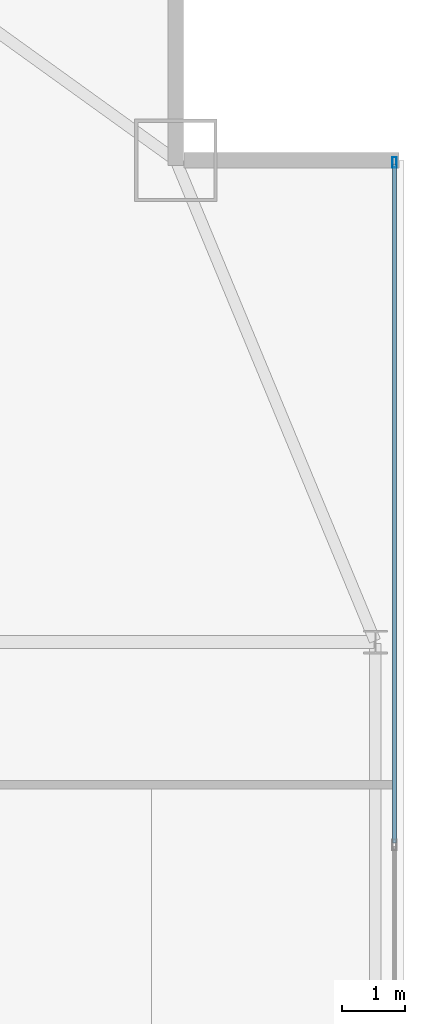
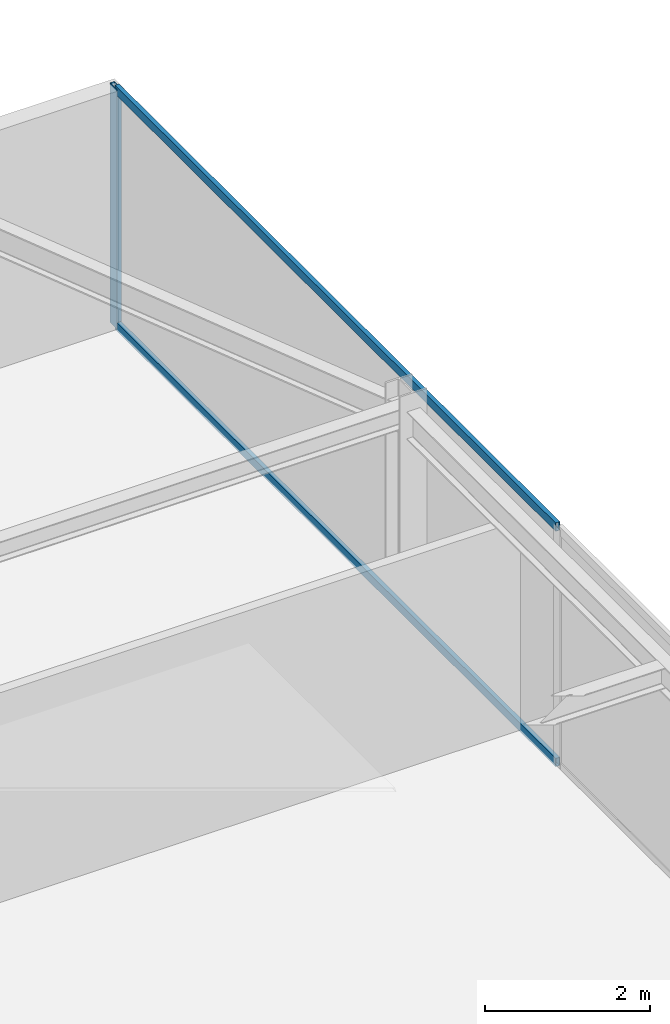
# One storey, part 21 of 30: 3 members, 1 element without a shape of its own.
"""IFC4 building model written with IfcOpenShell, lengths in metres."""

from ifc_helpers import new_model, si_unit, direction, frame, origin, origin_2d, place, context, subcontext, project, spatial, hollow_rectangle, extrude, source, transform, mapped, material, layer, layer_set, material_profile, profile_set, type_object, type_shapes, element, aggregate, save


model = new_model("IFC4")

# Units and contexts
model_context = context("Model", 3, precision=1e-05, world=origin(), true_north=direction((0.0, 1.0)))
body_context = subcontext(model_context, "Body", "Model", "MODEL_VIEW")
ifc_project = project(units=[si_unit("LENGTHUNIT", "METRE"), si_unit("AREAUNIT", "SQUARE_METRE"), si_unit("VOLUMEUNIT", "CUBIC_METRE"), si_unit("PLANEANGLEUNIT", "RADIAN"), si_unit("MASSUNIT", "GRAM", prefix="KILO")], contexts=[model_context])

# Site, building, storey
site_placement = place(None, origin())
site = spatial("IfcSite", under=ifc_project, at=site_placement, CompositionType="ELEMENT")
building_placement = place(site_placement, origin())
building = spatial("IfcBuilding", under=site, at=building_placement, Name="Varnel Quay Broadcast Tower", CompositionType="ELEMENT")
storey_placement = place(building_placement, frame((0.0, 0.0, 168.60009765625)))
storey = spatial("IfcBuildingStorey", under=building, at=storey_placement, Name="L41", CompositionType="ELEMENT", Elevation=168.60009765625)

# Curtain wall, members
ifc_material = material(Name="Anodised Bronze Aluminium 6063-T6", Category="aluminium")
ifc_layer = layer(ifc_material, 0.18994140625, Name="Anodised Bronze Aluminium 6063-T6")
ifc_layer_set = layer_set([ifc_layer], Name="Anodised Bronze Aluminium 6063-T6")
curtain_wall_type = type_object("IfcCurtainWallType", Name="CW_UpperTower", PredefinedType="NOTDEFINED", material=ifc_layer_set)
curtain_wall_placement = place(storey_placement, origin())
curtain_wall = element("IfcCurtainWall", 1, at=curtain_wall_placement, inside=storey, type_object=curtain_wall_type, Name="L41 East Unitised Curtain Wall", PredefinedType="NOTDEFINED")
ifc_material_profile_1 = material_profile(ifc_material, hollow_rectangle(XDim=0.06005859375, YDim=0.125, WallThickness=0.0029296875, at=origin_2d()), Name="ALU60X125X3")
ifc_profile_set_1 = profile_set([ifc_material_profile_1], Name="Anodised Bronze Aluminium 6063-T6")
member_type_1 = type_object("IfcMemberType", Name="Tran_CWS-03", PredefinedType="USERDEFINED", material=ifc_profile_set_1)
shared_shape_1 = source(origin(), body_context, "Body", "SweptSolid", [
    extrude(hollow_rectangle(XDim=0.06005859375, YDim=0.125, WallThickness=0.0029296875, at=origin_2d()), origin(), (0.0, 0.0, 1.0), 10.702392578125),
])
type_shapes(member_type_1, [shared_shape_1])
member_1_placement = place(storey_placement, frame((60.85009765625, 32.4326171875, 0.02978515625), z_axis=(0.0, 1.0, 0.0), x_axis=(-1.0, 0.0, 0.0)))
member_1 = element("IfcMember", 2, at=member_1_placement, type_object=member_type_1, Name="CWS-03 transom 3.1", ObjectType="TRANSOM", PredefinedType="USERDEFINED", context=body_context, shape_type="MappedRepresentation", body=[
    mapped(shared_shape_1, transform((0.0, 0.0, 0.0), x_axis=(1.0, 0.0, 0.0), y_axis=(0.0, 1.0, 0.0), z_axis=(0.0, 0.0, 1.0), scale=1.0)),
])
member_2_placement = place(storey_placement, frame((60.85009765625, 32.4326171875, 3.52001953125), z_axis=(0.0, 1.0, 0.0), x_axis=(-1.0, 0.0, 0.0)))
member_2 = element("IfcMember", 3, at=member_2_placement, type_object=member_type_1, Name="CWS-03 transom 3.2", ObjectType="TRANSOM", PredefinedType="USERDEFINED", context=body_context, shape_type="MappedRepresentation", body=[
    mapped(shared_shape_1, transform((0.0, 0.0, 0.0), x_axis=(1.0, 0.0, 0.0), y_axis=(0.0, 1.0, 0.0), z_axis=(0.0, 0.0, 1.0), scale=1.0)),
])
ifc_material_profile_2 = material_profile(ifc_material, hollow_rectangle(XDim=0.06494140625, YDim=0.1650390625, WallThickness=0.00341796875, at=origin_2d()), Name="ALU65X165X3.5")
ifc_profile_set_2 = profile_set([ifc_material_profile_2], Name="Anodised Bronze Aluminium 6063-T6")
member_type_2 = type_object("IfcMemberType", Name="Mull_CWS-03", PredefinedType="MULLION", material=ifc_profile_set_2)
shared_shape_2 = source(origin(), body_context, "Body", "SweptSolid", [
    extrude(hollow_rectangle(XDim=0.06494140625, YDim=0.1650390625, WallThickness=0.00341796875, at=origin_2d()), origin(), (0.0, 0.0, 1.0), 3.5498046875),
])
type_shapes(member_type_2, [shared_shape_2])
member_3_placement = place(storey_placement, frame((60.85009765625, 43.16748046875, 0.0), z_axis=(0.0, 0.0, 1.0), x_axis=(-1.0, 0.0, 0.0)))
member_3 = element("IfcMember", 4, at=member_3_placement, type_object=member_type_2, Name="CWS-03 mullion 4", PredefinedType="MULLION", context=body_context, shape_type="MappedRepresentation", body=[
    mapped(shared_shape_2, transform((0.0, 0.0, 0.0), x_axis=(1.0, 0.0, 0.0), y_axis=(0.0, 1.0, 0.0), z_axis=(0.0, 0.0, 1.0), scale=1.0)),
])
aggregate(curtain_wall, [member_3, member_1, member_2])

save(model, "model.ifc")
